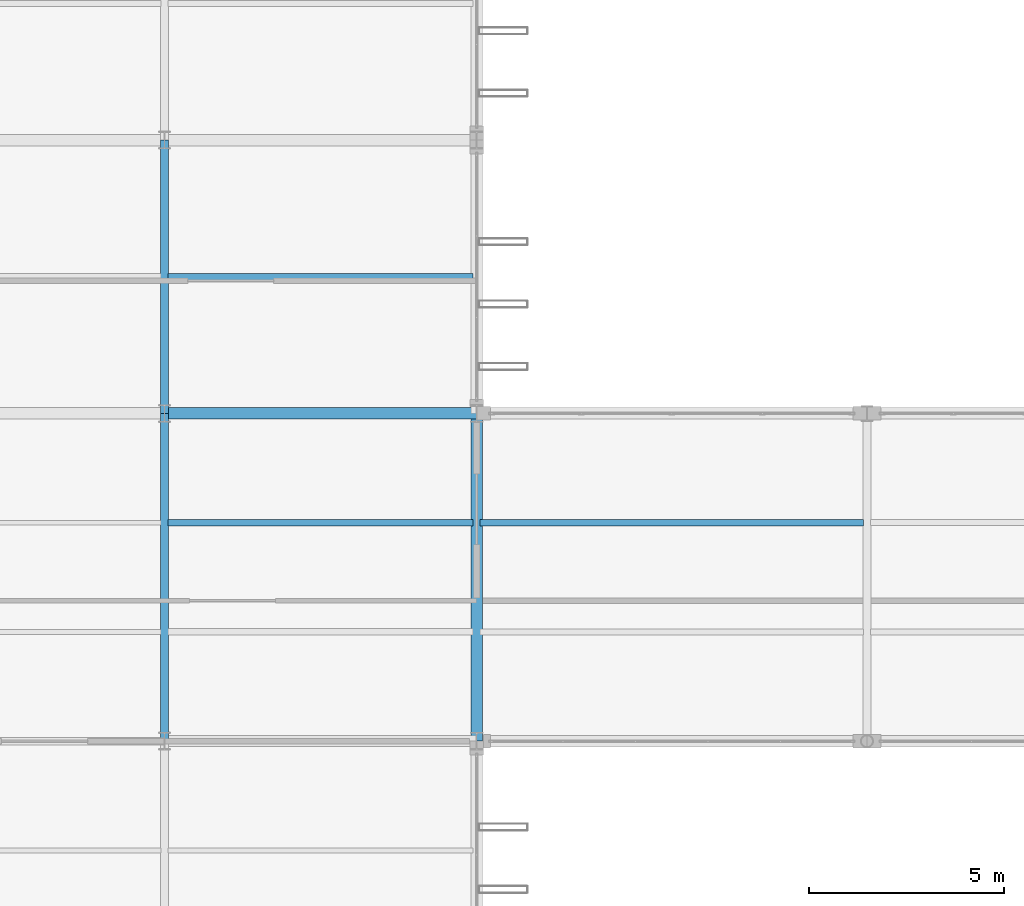
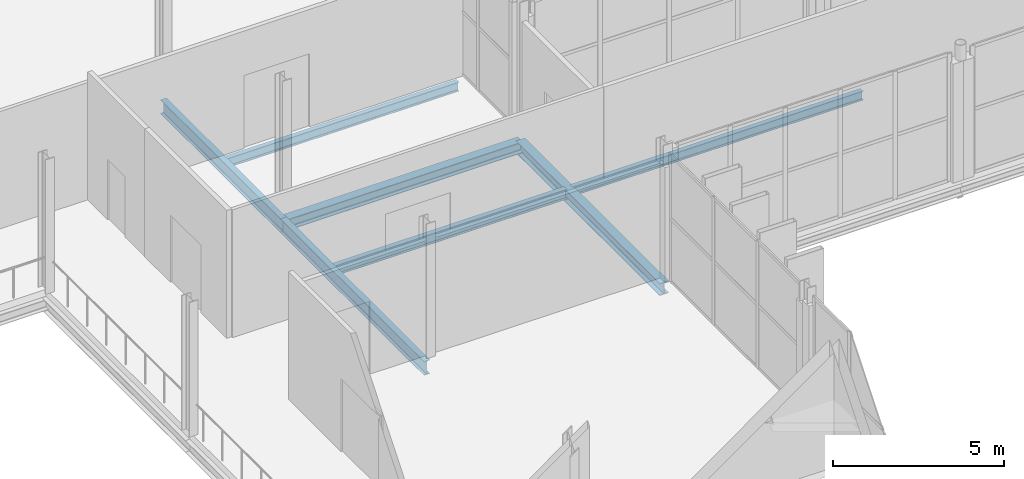
# One storey, part 47 of 120: 7 beams.
"""IFC4 building model written with IfcOpenShell, lengths in metres."""

from ifc_helpers import new_model, si_unit, direction, frame, origin, origin_2d, place, context, subcontext, project, spatial, i_section, extrude, material, material_profile, profile_set, type_object, element, save


model = new_model("IFC4")

# Units and contexts
model_context = context("Model", 3, precision=1e-05, world=origin(), true_north=direction((0.0, 1.0)))
body_context = subcontext(model_context, "Body", "Model", "MODEL_VIEW")
ifc_project = project(units=[si_unit("LENGTHUNIT", "METRE"), si_unit("AREAUNIT", "SQUARE_METRE"), si_unit("VOLUMEUNIT", "CUBIC_METRE"), si_unit("PLANEANGLEUNIT", "RADIAN"), si_unit("MASSUNIT", "GRAM", prefix="KILO")], contexts=[model_context])

# Site, building, storey
site_placement = place(None, origin())
site = spatial("IfcSite", under=ifc_project, at=site_placement, CompositionType="ELEMENT")
building_placement = place(site_placement, origin())
building = spatial("IfcBuilding", under=site, at=building_placement, Name="Vekula Escarpment Museum", CompositionType="ELEMENT")
storey_placement = place(building_placement, frame((0.0, 0.0, 13.199951171875)))
storey = spatial("IfcBuildingStorey", under=building, at=storey_placement, Name="L03", CompositionType="ELEMENT", Elevation=13.199951171875)

# Beams
ifc_material_1 = material(Name="Steel S355", Category="steel")
ifc_material_profile_1 = material_profile(ifc_material_1, i_section(OverallWidth=0.199951171875, OverallDepth=0.5, WebThickness=0.01025390625, FlangeThickness=0.01611328125, FilletRadius=0.02099609375, at=origin_2d()), Name="IPE 500")
ifc_profile_set_1 = profile_set([ifc_material_profile_1], Name="Steel S355")
beam_type_1 = type_object("IfcBeamType", Name="BM-GIRD-IPE500", PredefinedType="BEAM", material=ifc_profile_set_1)
beam_1_placement = place(storey_placement, frame((118.0, 68.0, -0.5), z_axis=(0.0, 1.0, 0.0), x_axis=(-1.0, 0.0, 0.0)))
element("IfcBeam", 1, at=beam_1_placement, inside=storey, type_object=beam_type_1, Name="Beam Y L03 1621", PredefinedType="BEAM", context=body_context, shape_type="SweptSolid", body=[
    extrude(i_section(OverallWidth=0.199951171875, OverallDepth=0.5, WebThickness=0.01025390625, FlangeThickness=0.01611328125, FilletRadius=0.02099609375, at=origin_2d()), origin(), (0.0, 0.0, 1.0), 8.39990234375),
])
beam_2_placement = place(storey_placement, frame((118.0, 76.39990234375, -0.5), z_axis=(0.0, 1.0, 0.0), x_axis=(-1.0, 0.0, 0.0)))
element("IfcBeam", 2, at=beam_2_placement, inside=storey, type_object=beam_type_1, Name="Beam Y L03 1622", PredefinedType="BEAM", context=body_context, shape_type="SweptSolid", body=[
    extrude(i_section(OverallWidth=0.199951171875, OverallDepth=0.5, WebThickness=0.01025390625, FlangeThickness=0.01611328125, FilletRadius=0.02099609375, at=origin_2d()), origin(), (0.0, 0.0, 1.0), 7.0),
])
ifc_material_2 = material(Name="Steel S355", Category="steel")
ifc_material_profile_2 = material_profile(ifc_material_2, i_section(OverallWidth=0.159912109375, OverallDepth=0.330078125, WebThickness=0.007568359375, FlangeThickness=0.011474609375, FilletRadius=0.01806640625, at=origin_2d()), Name="IPE 330")
ifc_profile_set_2 = profile_set([ifc_material_profile_2], Name="Steel S355")
beam_type_2 = type_object("IfcBeamType", Name="BM-JST-IPE330", PredefinedType="JOIST", material=ifc_profile_set_2)
beam_3_placement = place(storey_placement, frame((118.090087890625, 79.89990234375, -0.4150390625), z_axis=(1.0, 0.0, 0.0), x_axis=(0.0, 1.0, 0.0)))
element("IfcBeam", 3, at=beam_3_placement, inside=storey, type_object=beam_type_2, Name="Secondary Joist L03 1072", PredefinedType="JOIST", context=body_context, shape_type="SweptSolid", body=[
    extrude(i_section(OverallWidth=0.159912109375, OverallDepth=0.330078125, WebThickness=0.007568359375, FlangeThickness=0.011474609375, FilletRadius=0.01806640625, at=origin_2d()), origin(), (0.0, 0.0, 1.0), 7.81982421875),
])
beam_4_placement = place(storey_placement, frame((126.090087890625, 73.60009765625, -0.4150390625), z_axis=(1.0, 0.0, 0.0), x_axis=(0.0, 1.0, 0.0)))
element("IfcBeam", 4, at=beam_4_placement, inside=storey, type_object=beam_type_2, Name="Secondary Joist L03 1075", PredefinedType="JOIST", context=body_context, shape_type="SweptSolid", body=[
    extrude(i_section(OverallWidth=0.159912109375, OverallDepth=0.330078125, WebThickness=0.007568359375, FlangeThickness=0.011474609375, FilletRadius=0.01806640625, at=origin_2d()), origin(), (0.0, 0.0, 1.0), 9.81982421875),
])
ifc_material_3 = material(Name="Steel S355", Category="steel")
ifc_material_profile_3 = material_profile(ifc_material_3, i_section(OverallWidth=0.169921875, OverallDepth=0.360107421875, WebThickness=0.008056640625, FlangeThickness=0.0126953125, FilletRadius=0.01806640625, at=origin_2d()), Name="IPE 360")
ifc_profile_set_3 = profile_set([ifc_material_profile_3], Name="Steel S355")
beam_type_3 = type_object("IfcBeamType", Name="BM-JST-IPE360", PredefinedType="JOIST", material=ifc_profile_set_3)
beam_5_placement = place(storey_placement, frame((118.090087890625, 73.60009765625, -0.429931640625), z_axis=(1.0, 0.0, 0.0), x_axis=(0.0, 1.0, 0.0)))
element("IfcBeam", 5, at=beam_5_placement, inside=storey, type_object=beam_type_3, Name="Secondary Joist L03 1071", PredefinedType="JOIST", context=body_context, shape_type="SweptSolid", body=[
    extrude(i_section(OverallWidth=0.169921875, OverallDepth=0.360107421875, WebThickness=0.008056640625, FlangeThickness=0.0126953125, FilletRadius=0.01806640625, at=origin_2d()), origin(), (0.0, 0.0, 1.0), 7.81982421875),
])
ifc_material_4 = material(Name="Steel S355", Category="steel")
ifc_material_profile_4 = material_profile(ifc_material_4, i_section(OverallWidth=0.300048828125, OverallDepth=0.389892578125, WebThickness=0.010986328125, FlangeThickness=0.01904296875, FilletRadius=0.027099609375, at=origin_2d()), Name="HEA 400")
ifc_profile_set_4 = profile_set([ifc_material_profile_4], Name="Steel S355")
beam_type_4 = type_object("IfcBeamType", Name="BM-SPAN-HEA400", PredefinedType="SPANDREL", material=ifc_profile_set_4)
beam_6_placement = place(storey_placement, frame((118.0, 76.39990234375, -0.445068359375), z_axis=(1.0, 0.0, 0.0), x_axis=(0.0, 1.0, 0.0)))
element("IfcBeam", 6, at=beam_6_placement, inside=storey, type_object=beam_type_4, Name="Beam X L03 1390", PredefinedType="SPANDREL", context=body_context, shape_type="SweptSolid", body=[
    extrude(i_section(OverallWidth=0.300048828125, OverallDepth=0.389892578125, WebThickness=0.010986328125, FlangeThickness=0.01904296875, FilletRadius=0.027099609375, at=origin_2d()), origin(), (0.0, 0.0, 1.0), 8.0),
])
ifc_material_5 = material(Name="Steel S355", Category="steel")
ifc_material_profile_5 = material_profile(ifc_material_5, i_section(OverallWidth=0.300048828125, OverallDepth=0.43994140625, WebThickness=0.011474609375, FlangeThickness=0.02099609375, FilletRadius=0.027099609375, at=origin_2d()), Name="HEA 450")
ifc_profile_set_5 = profile_set([ifc_material_profile_5], Name="Steel S355")
beam_type_5 = type_object("IfcBeamType", Name="BM-SPAN-HEA450", PredefinedType="SPANDREL", material=ifc_profile_set_5)
beam_7_placement = place(storey_placement, frame((126.0, 68.0, -0.469970703125), z_axis=(0.0, 1.0, 0.0), x_axis=(-1.0, 0.0, 0.0)))
element("IfcBeam", 7, at=beam_7_placement, inside=storey, type_object=beam_type_5, Name="Beam Y L03 1628", PredefinedType="SPANDREL", context=body_context, shape_type="SweptSolid", body=[
    extrude(i_section(OverallWidth=0.300048828125, OverallDepth=0.43994140625, WebThickness=0.011474609375, FlangeThickness=0.02099609375, FilletRadius=0.027099609375, at=origin_2d()), origin(), (0.0, 0.0, 1.0), 8.39990234375),
])

save(model, "model.ifc")
